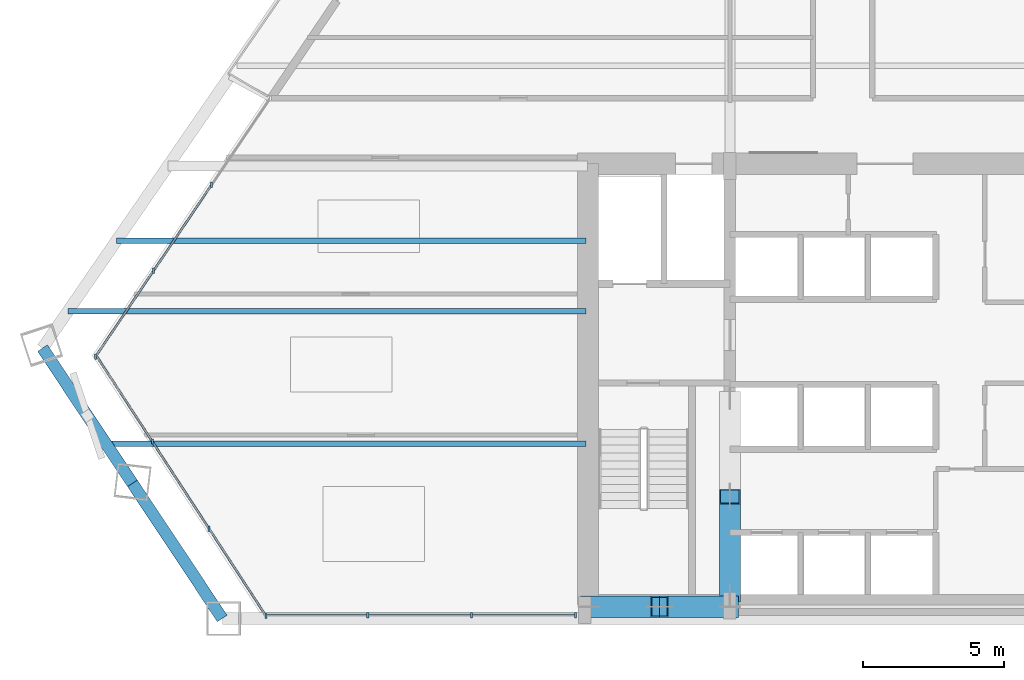
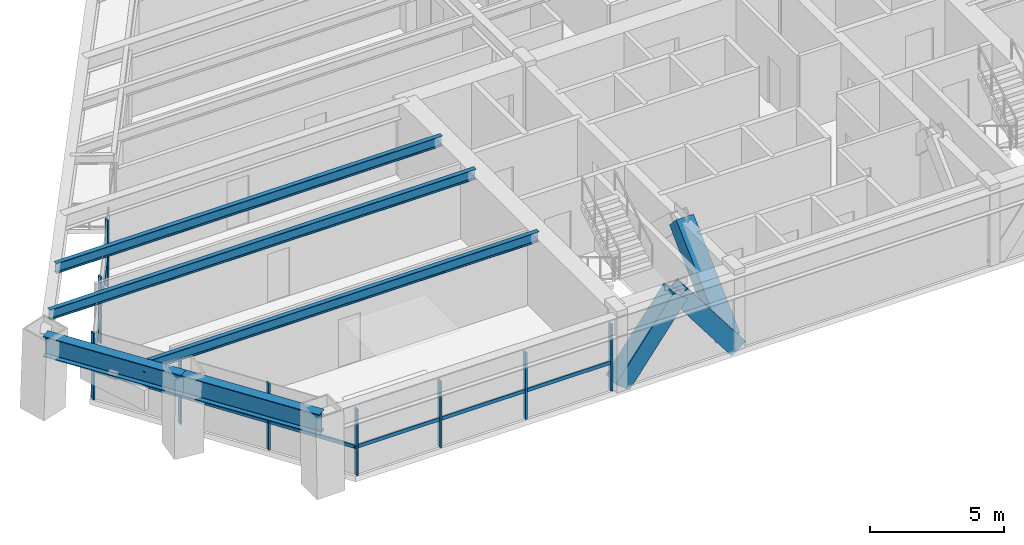
# One storey, part 2 of 14: 20 members, 5 beams, 3 elements without a shape of their own.
"""IFC4 building model written with IfcOpenShell, lengths in metres."""

from ifc_helpers import new_model, si_unit, direction, frame, origin, origin_2d, place, context, subcontext, project, spatial, rectangle, hollow_rectangle, i_section, extrude, source, transform, mapped, material, material_profile, profile_set, type_object, type_shapes, element, aggregate, save


model = new_model("IFC4")

# Units and contexts
model_context = context("Model", 3, precision=1e-05, world=origin(), true_north=direction((0.0, 1.0)))
body_context = subcontext(model_context, "Body", "Model", "MODEL_VIEW")
ifc_project = project(units=[si_unit("LENGTHUNIT", "METRE"), si_unit("AREAUNIT", "SQUARE_METRE"), si_unit("VOLUMEUNIT", "CUBIC_METRE"), si_unit("PLANEANGLEUNIT", "RADIAN"), si_unit("MASSUNIT", "GRAM", prefix="KILO")], contexts=[model_context])

# Site, building, storey
site_placement = place(None, origin())
site = spatial("IfcSite", under=ifc_project, at=site_placement, CompositionType="ELEMENT")
building_placement = place(site_placement, origin())
building = spatial("IfcBuilding", under=site, at=building_placement, Name="Varnakhor Terracotta Tower", CompositionType="ELEMENT")
storey_placement = place(building_placement, frame((0.0, 0.0, 84.0)))
storey = spatial("IfcBuildingStorey", under=building, at=storey_placement, Name="L20", CompositionType="ELEMENT", Elevation=84.0)

# Members
ifc_material_1 = material(Name="Steel S460", Category="steel")
ifc_material_profile_1 = material_profile(ifc_material_1, hollow_rectangle(XDim=0.75, YDim=0.75, WallThickness=0.044921875, at=origin_2d()), Name="HSS750X750X45")
ifc_profile_set_1 = profile_set([ifc_material_profile_1], Name="Steel S460")
member_type_1 = type_object("IfcMemberType", Name="MBR-MEGA-750", PredefinedType="BRACE", material=ifc_profile_set_1)
shared_shape_1 = source(origin(), body_context, "Body", "SweptSolid", [
    extrude(hollow_rectangle(XDim=0.75, YDim=0.75, WallThickness=0.044921875, at=origin_2d()), origin(), (0.0, 0.0, 1.0), 4.14013671875),
])
type_shapes(member_type_1, [shared_shape_1])
for number, where, z_axis, x_axis, name in (
    (1, (-10.5, 0.419921875, 0.0), (0.603852011179, 0.0, 0.797096448741), (0.0, 1.0, 0.0), "L20 Core Coupled Brace CSWA"),
    (2, (-5.5, 0.419921875, 0.0), (-0.603852011179, 0.0, 0.797096448741), (0.0, -1.0, 0.0), "L20 Core Coupled Brace CSWB"),
):
    element("IfcMember", number, at=place(storey_placement, frame(where, z_axis=z_axis, x_axis=x_axis)), inside=storey, type_object=member_type_1, Name=name, PredefinedType="BRACE", context=body_context, shape_type="MappedRepresentation", body=[
        mapped(shared_shape_1, transform((0.0, 0.0, 0.0), scale=1.0)),
    ])
shared_shape_2 = source(origin(), body_context, "Body", "SweptSolid", [
    extrude(hollow_rectangle(XDim=0.75, YDim=0.75, WallThickness=0.044921875, at=origin_2d()), origin(), (0.0, 0.0, 1.0), 4.792236328125),
])
member_1_placement = place(storey_placement, frame((-5.5, 0.85009765625, 0.0), z_axis=(0.0, 0.725110085518, 0.688632967466), x_axis=(-1.0, 0.0, 0.0)))
element("IfcMember", 3, at=member_1_placement, inside=storey, type_object=member_type_1, Name="L20 Core Coupled Brace CWWA", PredefinedType="BRACE", context=body_context, shape_type="MappedRepresentation", body=[
    mapped(shared_shape_2, transform((0.0, 0.0, 0.0), scale=1.0)),
])

# Beams
ifc_material_2 = material(Name="Steel S355", Category="steel")
ifc_material_profile_2 = material_profile(ifc_material_2, i_section(OverallWidth=0.41796875, OverallDepth=0.927001953125, WebThickness=0.01904296875, FlangeThickness=0.031982421875, FilletRadius=0.01806640625, at=origin_2d()), Name="W36X231")
ifc_profile_set_2 = profile_set([ifc_material_profile_2], Name="Steel S355")
beam_type_1 = type_object("IfcBeamType", Name="BM-W36X231", PredefinedType="BEAM", material=ifc_profile_set_2)
shared_shape_3 = source(origin(), body_context, "Body", "SweptSolid", [
    extrude(i_section(OverallWidth=0.41796875, OverallDepth=0.927001953125, WebThickness=0.01904296875, FlangeThickness=0.031982421875, FilletRadius=0.01806640625, at=origin_2d()), origin(), (0.0, 0.0, 1.0), 5.756591796875),
])
for number, where, z_axis, x_axis, name in (
    (4, (-29.87158203125, 9.587158203125, 2.986572265625), (0.553750498272, -0.832682644027, 0.0), (0.832682644027, 0.553750498272, 0.0), "L20 Perimeter Spandrel 7"),
    (5, (-26.683837890625, 4.793701171875, 2.986572265625), (0.553701537019, -0.832715202157, 0.0), (0.832715202157, 0.553701537019, 0.0), "L20 Perimeter Spandrel 8"),
):
    element("IfcBeam", number, at=place(storey_placement, frame(where, z_axis=z_axis, x_axis=x_axis)), inside=storey, type_object=beam_type_1, Name=name, PredefinedType="BEAM", context=body_context, shape_type="MappedRepresentation", body=[
        mapped(shared_shape_3, transform((0.0, 0.0, 0.0), scale=1.0)),
    ])
ifc_material_profile_3 = material_profile(ifc_material_2, i_section(OverallWidth=0.19189453125, OverallDepth=0.462890625, WebThickness=0.010498046875, FlangeThickness=0.017578125, FilletRadius=0.01806640625, at=origin_2d()), Name="W18X60")
ifc_profile_set_3 = profile_set([ifc_material_profile_3], Name="Steel S355")
beam_type_2 = type_object("IfcBeamType", Name="JST-W18X60", PredefinedType="JOIST", material=ifc_profile_set_3)
shared_shape_4 = source(origin(), body_context, "Body", "SweptSolid", [
    extrude(i_section(OverallWidth=0.19189453125, OverallDepth=0.462890625, WebThickness=0.010498046875, FlangeThickness=0.017578125, FilletRadius=0.01806640625, at=origin_2d()), origin(), (0.0, 0.0, 1.0), 17.01904296875),
])
beam_1_placement = place(storey_placement, frame((-27.619140625, 6.199951171875, 3.218505859375), z_axis=(1.0, 0.0, 0.0), x_axis=(0.0, 1.0, 0.0)))
element("IfcBeam", 6, at=beam_1_placement, inside=storey, type_object=beam_type_2, Name="L20 Floor Joist W1", PredefinedType="JOIST", context=body_context, shape_type="MappedRepresentation", body=[
    mapped(shared_shape_4, transform((0.0, 0.0, 0.0), scale=1.0)),
])
shared_shape_5 = source(origin(), body_context, "Body", "SweptSolid", [
    extrude(i_section(OverallWidth=0.19189453125, OverallDepth=0.462890625, WebThickness=0.010498046875, FlangeThickness=0.017578125, FilletRadius=0.01806640625, at=origin_2d()), origin(), (0.0, 0.0, 1.0), 18.3671875),
])
beam_2_placement = place(storey_placement, frame((-28.96728515625, 10.89990234375, 3.218505859375), z_axis=(1.0, 0.0, 0.0), x_axis=(0.0, 1.0, 0.0)))
element("IfcBeam", 7, at=beam_2_placement, inside=storey, type_object=beam_type_2, Name="L20 Floor Joist W2", PredefinedType="JOIST", context=body_context, shape_type="MappedRepresentation", body=[
    mapped(shared_shape_5, transform((0.0, 0.0, 0.0), scale=1.0)),
])
shared_shape_6 = source(origin(), body_context, "Body", "SweptSolid", [
    extrude(i_section(OverallWidth=0.19189453125, OverallDepth=0.462890625, WebThickness=0.010498046875, FlangeThickness=0.017578125, FilletRadius=0.01806640625, at=origin_2d()), origin(), (0.0, 0.0, 1.0), 16.6455078125),
])
beam_3_placement = place(storey_placement, frame((-27.24560546875, 13.39990234375, 3.218505859375), z_axis=(1.0, 0.0, 0.0), x_axis=(0.0, 1.0, 0.0)))
element("IfcBeam", 8, at=beam_3_placement, inside=storey, type_object=beam_type_2, Name="L20 Floor Joist W3", PredefinedType="JOIST", context=body_context, shape_type="MappedRepresentation", body=[
    mapped(shared_shape_6, transform((0.0, 0.0, 0.0), scale=1.0)),
])

# Curtain wall, members
ifc_material_3 = material(Name="Anodised Aluminium Curtain Wall System", Category="aluminium")
curtain_wall_type = type_object("IfcCurtainWallType", Name="CW-SYS-LOW-OFFICE", PredefinedType="NOTDEFINED", material=ifc_material_3)
curtain_wall_1_placement = place(storey_placement, origin())
curtain_wall_1 = element("IfcCurtainWall", 9, at=curtain_wall_1_placement, inside=storey, type_object=curtain_wall_type, Name="L20 W Facet Curtain Wall 1", PredefinedType="NOTDEFINED")
ifc_material_4 = material(Name="Anodised Aluminium 6063-T6", Category="aluminium")
ifc_material_profile_4 = material_profile(ifc_material_4, rectangle(XDim=0.074951171875, YDim=0.18505859375, at=origin_2d()), Name="ALU MULLION 75x185")
ifc_profile_set_4 = profile_set([ifc_material_profile_4], Name="Anodised Aluminium 6063-T6")
member_type_2 = type_object("IfcMemberType", Name="CWM-02", PredefinedType="MULLION", material=ifc_profile_set_4)
shared_shape_7 = source(origin(), body_context, "Body", "SweptSolid", [
    extrude(rectangle(XDim=0.074951171875, YDim=0.18505859375, at=origin_2d()), origin(), (0.0, 0.0, 1.0), 3.030029296875),
])
type_shapes(member_type_2, [shared_shape_7])
member_2_placement = place(storey_placement, frame((-27.9921875, 9.283935546875, 0.0), z_axis=(0.0, 0.0, 1.0), x_axis=(1.0, 0.0, 0.0)))
member_2 = element("IfcMember", 10, at=member_2_placement, type_object=member_type_2, Name="L20 W Facet Curtain Wall 1 Mullion 1", PredefinedType="MULLION", context=body_context, shape_type="MappedRepresentation", body=[
    mapped(shared_shape_7, transform((0.0, 0.0, 0.0), scale=1.0)),
])
member_3_placement = place(storey_placement, frame((-25.932861328125, 12.331298828125, 0.0), z_axis=(0.0, 0.0, 1.0), x_axis=(1.0, 0.0, 0.0)))
member_3 = element("IfcMember", 11, at=member_3_placement, type_object=member_type_2, Name="L20 W Facet Curtain Wall 1 Mullion 2", PredefinedType="MULLION", context=body_context, shape_type="MappedRepresentation", body=[
    mapped(shared_shape_7, transform((0.0, 0.0, 0.0), scale=1.0)),
])
member_4_placement = place(storey_placement, frame((-23.87353515625, 15.378662109375, 0.0), z_axis=(0.0, 0.0, 1.0), x_axis=(1.0, 0.0, 0.0)))
member_4 = element("IfcMember", 12, at=member_4_placement, type_object=member_type_2, Name="L20 W Facet Curtain Wall 1 Mullion 3", PredefinedType="MULLION", context=body_context, shape_type="MappedRepresentation", body=[
    mapped(shared_shape_7, transform((0.0, 0.0, 0.0), scale=1.0)),
])

curtain_wall_2_placement = place(storey_placement, origin())
curtain_wall_2 = element("IfcCurtainWall", 13, at=curtain_wall_2_placement, inside=storey, type_object=curtain_wall_type, Name="L20 South Wing Curtain Wall SSW", PredefinedType="NOTDEFINED")
member_5_placement = place(storey_placement, frame((-10.969970703125, 0.1201171875, 0.0), z_axis=(0.0, 0.0, 1.0), x_axis=(1.0, 0.0, 0.0)))
member_5 = element("IfcMember", 14, at=member_5_placement, type_object=member_type_2, Name="L20 South Wing Curtain Wall SSW Mullion 1", PredefinedType="MULLION", context=body_context, shape_type="MappedRepresentation", body=[
    mapped(shared_shape_7, transform((0.0, 0.0, 0.0), scale=1.0)),
])
member_6_placement = place(storey_placement, frame((-14.65380859375, 0.1201171875, 0.0), z_axis=(0.0, 0.0, 1.0), x_axis=(1.0, 0.0, 0.0)))
member_6 = element("IfcMember", 15, at=member_6_placement, type_object=member_type_2, Name="L20 South Wing Curtain Wall SSW Mullion 2", PredefinedType="MULLION", context=body_context, shape_type="MappedRepresentation", body=[
    mapped(shared_shape_7, transform((0.0, 0.0, 0.0), scale=1.0)),
])
member_7_placement = place(storey_placement, frame((-18.337646484375, 0.1201171875, 0.0), z_axis=(0.0, 0.0, 1.0), x_axis=(1.0, 0.0, 0.0)))
member_7 = element("IfcMember", 16, at=member_7_placement, type_object=member_type_2, Name="L20 South Wing Curtain Wall SSW Mullion 3", PredefinedType="MULLION", context=body_context, shape_type="MappedRepresentation", body=[
    mapped(shared_shape_7, transform((0.0, 0.0, 0.0), scale=1.0)),
])

curtain_wall_3_placement = place(storey_placement, origin())
curtain_wall_3 = element("IfcCurtainWall", 17, at=curtain_wall_3_placement, inside=storey, type_object=curtain_wall_type, Name="L20 Facet Curtain Wall 6", PredefinedType="NOTDEFINED")
member_8_placement = place(storey_placement, frame((-21.947265625, 0.090576171875, 0.0), z_axis=(0.0, 0.0, 1.0), x_axis=(1.0, 0.0, 0.0)))
member_8 = element("IfcMember", 18, at=member_8_placement, type_object=member_type_2, Name="L20 Facet Curtain Wall 6 Mullion 1", PredefinedType="MULLION", context=body_context, shape_type="MappedRepresentation", body=[
    mapped(shared_shape_7, transform((0.0, 0.0, 0.0), scale=1.0)),
])
member_9_placement = place(storey_placement, frame((-23.9619140625, 3.1826171875, 0.0), z_axis=(0.0, 0.0, 1.0), x_axis=(1.0, 0.0, 0.0)))
member_9 = element("IfcMember", 19, at=member_9_placement, type_object=member_type_2, Name="L20 Facet Curtain Wall 6 Mullion 2", PredefinedType="MULLION", context=body_context, shape_type="MappedRepresentation", body=[
    mapped(shared_shape_7, transform((0.0, 0.0, 0.0), scale=1.0)),
])
member_10_placement = place(storey_placement, frame((-25.976806640625, 6.274658203125, 0.0), z_axis=(0.0, 0.0, 1.0), x_axis=(1.0, 0.0, 0.0)))
member_10 = element("IfcMember", 20, at=member_10_placement, type_object=member_type_2, Name="L20 Facet Curtain Wall 6 Mullion 3", PredefinedType="MULLION", context=body_context, shape_type="MappedRepresentation", body=[
    mapped(shared_shape_7, transform((0.0, 0.0, 0.0), scale=1.0)),
])

# Member
ifc_material_profile_5 = material_profile(ifc_material_4, rectangle(XDim=0.074951171875, YDim=0.1650390625, at=origin_2d()), Name="ALU TRANSOM 75x165")
ifc_profile_set_5 = profile_set([ifc_material_profile_5], Name="Anodised Aluminium 6063-T6")
member_type_3 = type_object("IfcMemberType", Name="CWT-02", PredefinedType="USERDEFINED", material=ifc_profile_set_5)
shared_shape_8 = source(origin(), body_context, "Body", "SweptSolid", [
    extrude(rectangle(XDim=0.074951171875, YDim=0.1650390625, at=origin_2d()), origin(), (0.0, 0.0, 1.0), 3.677978515625),
])
member_11_placement = place(storey_placement, frame((-27.9921875, 9.283935546875, 1.272705078125), z_axis=(0.559912837414, 0.828551515899, 0.0), x_axis=(-0.828551515899, 0.559912837414, 0.0)))
member_11 = element("IfcMember", 21, at=member_11_placement, type_object=member_type_3, Name="L20 W Facet Curtain Wall 1 Transom 1", ObjectType="TRANSOM", PredefinedType="USERDEFINED", context=body_context, shape_type="MappedRepresentation", body=[
    mapped(shared_shape_8, transform((0.0, 0.0, 0.0), scale=1.0)),
])

member_12_placement = place(storey_placement, frame((-25.932861328125, 12.331298828125, 1.272705078125), z_axis=(0.559912837414, 0.828551515899, 0.0), x_axis=(-0.828551515899, 0.559912837414, 0.0)))
member_12 = element("IfcMember", 22, at=member_12_placement, type_object=member_type_3, Name="L20 W Facet Curtain Wall 1 Transom 2", ObjectType="TRANSOM", PredefinedType="USERDEFINED", context=body_context, shape_type="MappedRepresentation", body=[
    mapped(shared_shape_8, transform((0.0, 0.0, 0.0), scale=1.0)),
])

aggregate(curtain_wall_1, [member_2, member_11, member_3, member_12, member_4])

shared_shape_9 = source(origin(), body_context, "Body", "SweptSolid", [
    extrude(rectangle(XDim=0.074951171875, YDim=0.1650390625, at=origin_2d()), origin(), (0.0, 0.0, 1.0), 3.683837890625),
])
member_13_placement = place(storey_placement, frame((-10.969970703125, 0.1201171875, 1.272705078125), z_axis=(-1.0, 0.0, 0.0), x_axis=(0.0, -1.0, 0.0)))
member_13 = element("IfcMember", 23, at=member_13_placement, type_object=member_type_3, Name="L20 South Wing Curtain Wall SSW Transom 1", ObjectType="TRANSOM", PredefinedType="USERDEFINED", context=body_context, shape_type="MappedRepresentation", body=[
    mapped(shared_shape_9, transform((0.0, 0.0, 0.0), scale=1.0)),
])

member_14_placement = place(storey_placement, frame((-14.65380859375, 0.1201171875, 1.272705078125), z_axis=(-1.0, 0.0, 0.0), x_axis=(0.0, -1.0, 0.0)))
member_14 = element("IfcMember", 24, at=member_14_placement, type_object=member_type_3, Name="L20 South Wing Curtain Wall SSW Transom 2", ObjectType="TRANSOM", PredefinedType="USERDEFINED", context=body_context, shape_type="MappedRepresentation", body=[
    mapped(shared_shape_9, transform((0.0, 0.0, 0.0), scale=1.0)),
])

member_15_placement = place(storey_placement, frame((-18.337646484375, 0.1201171875, 1.272705078125), z_axis=(-1.0, 0.0, 0.0), x_axis=(0.0, -1.0, 0.0)))
member_15 = element("IfcMember", 25, at=member_15_placement, type_object=member_type_3, Name="L20 South Wing Curtain Wall SSW Transom 3", ObjectType="TRANSOM", PredefinedType="USERDEFINED", context=body_context, shape_type="MappedRepresentation", body=[
    mapped(shared_shape_9, transform((0.0, 0.0, 0.0), scale=1.0)),
])

aggregate(curtain_wall_2, [member_5, member_13, member_6, member_14, member_7, member_15])

shared_shape_10 = source(origin(), body_context, "Body", "SweptSolid", [
    extrude(rectangle(XDim=0.074951171875, YDim=0.1650390625, at=origin_2d()), origin(), (0.0, 0.0, 1.0), 3.6904296875),
])
member_16_placement = place(storey_placement, frame((-21.947265625, 0.090576171875, 1.272705078125), z_axis=(-0.545906512422, 0.837846095471, 0.0), x_axis=(-0.837846095471, -0.545906512422, 0.0)))
member_16 = element("IfcMember", 26, at=member_16_placement, type_object=member_type_3, Name="L20 Facet Curtain Wall 6 Transom 1", ObjectType="TRANSOM", PredefinedType="USERDEFINED", context=body_context, shape_type="MappedRepresentation", body=[
    mapped(shared_shape_10, transform((0.0, 0.0, 0.0), scale=1.0)),
])

member_17_placement = place(storey_placement, frame((-25.976806640625, 6.274658203125, 1.272705078125), z_axis=(-0.545906512422, 0.837846095471, 0.0), x_axis=(-0.837846095471, -0.545906512422, 0.0)))
member_17 = element("IfcMember", 27, at=member_17_placement, type_object=member_type_3, Name="L20 Facet Curtain Wall 6 Transom 3", ObjectType="TRANSOM", PredefinedType="USERDEFINED", context=body_context, shape_type="MappedRepresentation", body=[
    mapped(shared_shape_10, transform((0.0, 0.0, 0.0), scale=1.0)),
])

shared_shape_11 = source(origin(), body_context, "Body", "SweptSolid", [
    extrude(rectangle(XDim=0.074951171875, YDim=0.1650390625, at=origin_2d()), origin(), (0.0, 0.0, 1.0), 3.690673828125),
])
member_18_placement = place(storey_placement, frame((-23.9619140625, 3.1826171875, 1.272705078125), z_axis=(-0.545952949409, 0.837815837181, 0.0), x_axis=(-0.837815837181, -0.545952949409, 0.0)))
member_18 = element("IfcMember", 28, at=member_18_placement, type_object=member_type_3, Name="L20 Facet Curtain Wall 6 Transom 2", ObjectType="TRANSOM", PredefinedType="USERDEFINED", context=body_context, shape_type="MappedRepresentation", body=[
    mapped(shared_shape_11, transform((0.0, 0.0, 0.0), scale=1.0)),
])

aggregate(curtain_wall_3, [member_8, member_16, member_9, member_18, member_10, member_17])

save(model, "model.ifc")
